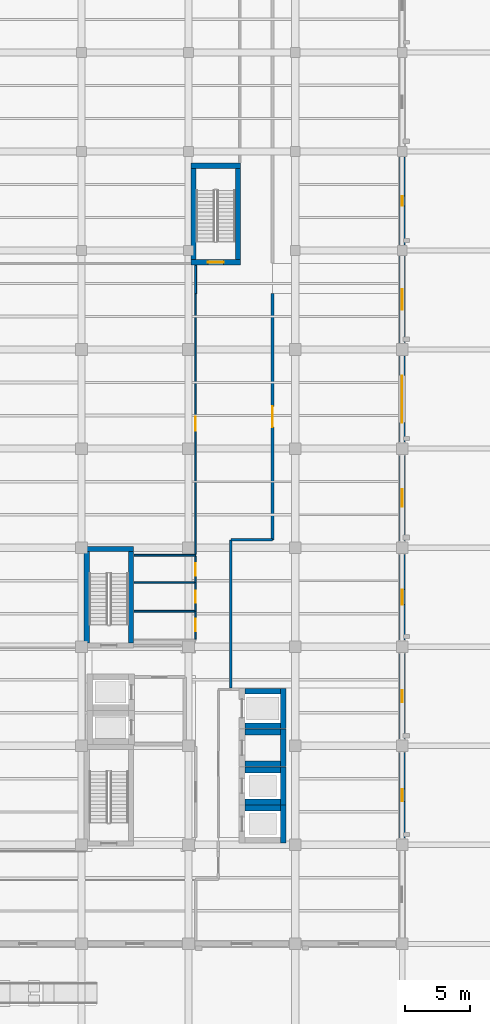
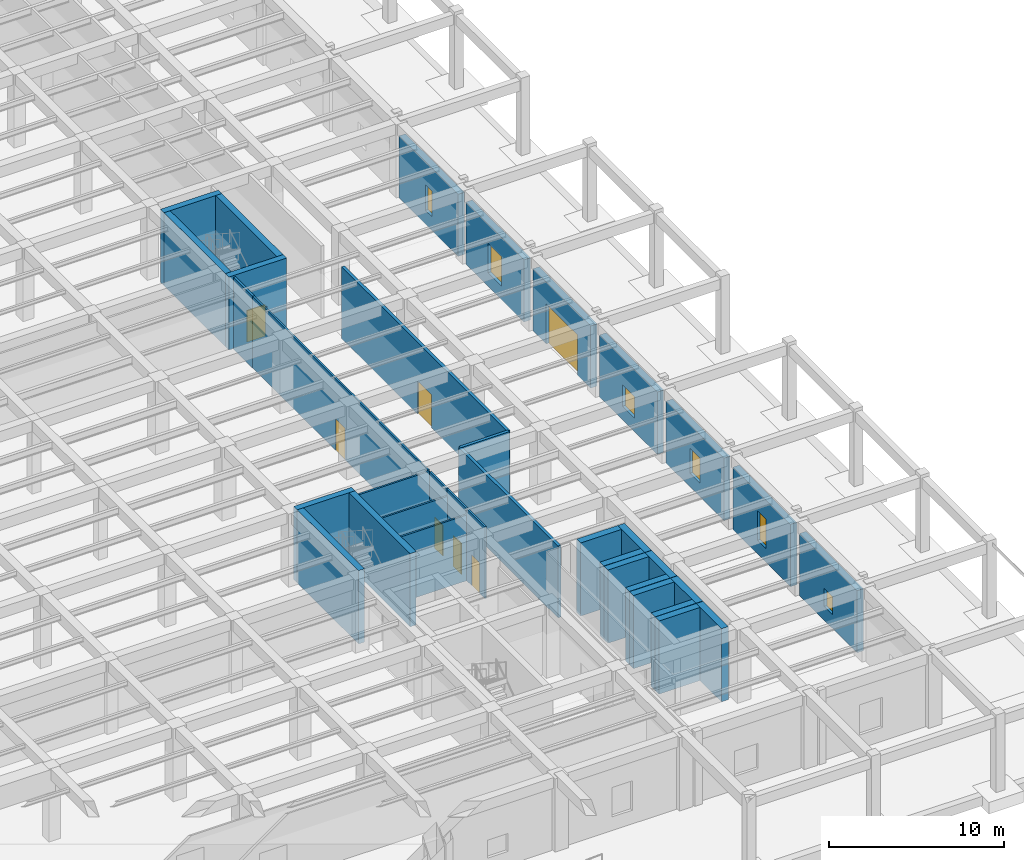
# One storey, part 48 of 64: 36 walls, 7 doors, 6 windows, 13 openings.
"""IFC4 building model written with IfcOpenShell, lengths in metres."""

from ifc_helpers import new_model, si_unit, direction, frame, frame_2d, origin, place, context, subcontext, project, spatial, rectangle, extrude, material, layer, layer_set, type_object, element, fill, save


model = new_model("IFC4")

# Units and contexts
model_context = context("Model", 3, precision=1e-05, world=origin(), true_north=direction((0.0, 1.0)))
body_context = subcontext(model_context, "Body", "Model", "MODEL_VIEW")
ifc_project = project(units=[si_unit("LENGTHUNIT", "METRE"), si_unit("AREAUNIT", "SQUARE_METRE"), si_unit("VOLUMEUNIT", "CUBIC_METRE"), si_unit("PLANEANGLEUNIT", "RADIAN"), si_unit("MASSUNIT", "GRAM", prefix="KILO")], contexts=[model_context])

# Site, building, storey
site_placement = place(None, origin())
site = spatial("IfcSite", under=ifc_project, at=site_placement, CompositionType="ELEMENT")
building_placement = place(site_placement, origin())
building = spatial("IfcBuilding", under=site, at=building_placement, Name="Qandaris Square Conservatory and Botanical Centre", CompositionType="ELEMENT")
storey_placement = place(building_placement, origin())
storey = spatial("IfcBuildingStorey", under=building, at=storey_placement, Name="L00", CompositionType="ELEMENT", Elevation=0.0)

# Wall
ifc_material_1 = material(Name="Gypsum Plasterboard", Category="gypsum")
ifc_layer_1 = layer(ifc_material_1, 0.14990234375)
ifc_layer_set_1 = layer_set([ifc_layer_1], Name="Gypsum Plasterboard")
wall_type_1 = type_object("IfcWallType", Name="Acoustic Laboratory Partition 150mm", PredefinedType="PARTITIONING", material=ifc_layer_set_1)
wall_1_placement = place(storey_placement, frame((147.949951171875, 66.5, 0.0), z_axis=(0.0, 0.0, 1.0), x_axis=(0.0, 1.0, 0.0)))
element("IfcWall", 1, at=wall_1_placement, inside=storey, type_object=wall_type_1, Name="Interior Partition IW-L00-0061", PredefinedType="PARTITIONING", context=body_context, shape_type="SweptSolid", body=[
    extrude(rectangle(XDim=2.169921875, YDim=0.14990234375, at=frame_2d((1.0849609375, 0.0))), origin(), (0.0, 0.0, 1.0), 5.0048828125),
])

# Wall, opening, door
ifc_material_2 = material(Name="Concrete C40/50", Category="concrete")
ifc_layer_2 = layer(ifc_material_2, 0.199951171875)
ifc_layer_set_2 = layer_set([ifc_layer_2], Name="Concrete C40/50")
wall_type_2 = type_object("IfcWallType", Name="Herbarium & Plant Compartment Wall 200mm", PredefinedType="PARTITIONING", material=ifc_layer_set_2)
wall_2_placement = place(storey_placement, frame((153.85009765625, 66.5, 0.0), z_axis=(0.0, 0.0, 1.0), x_axis=(0.0, -1.0, 0.0)))
wall_2 = element("IfcWall", 2, at=wall_2_placement, inside=storey, type_object=wall_type_2, Name="Interior Partition IW-L00-0056", PredefinedType="PARTITIONING", context=body_context, shape_type="SweptSolid", body=[
    extrude(rectangle(XDim=18.89990234375, YDim=0.199951171875, at=frame_2d((9.449951171875, 0.0))), origin(), (0.0, 0.0, 1.0), 5.0048828125),
])
opening_1_placement = place(wall_2_placement, frame((8.64990234375, 0.0, 0.0)))
opening_1 = element("IfcOpeningElement", 3, at=opening_1_placement, cuts=wall_2, Name="Opening D-HRB1", PredefinedType="OPENING", context=body_context, shape_type="SweptSolid", body=[
    extrude(rectangle(XDim=1.60009765625, YDim=2.300048828125, at=frame_2d((0.800048828125, 1.14990234375))), frame((0.0, 0.11181640625, 0.0), z_axis=(0.0, -1.0, 0.0), x_axis=(1.0, 0.0, 0.0)), (0.0, 0.0, 1.0), 0.223876953125),
])
ifc_material_3 = material(Name="Steel S355", Category="steel")
door_type_1 = type_object("IfcDoorType", Name="Herbarium Sealable Specimen Double Door 1600x2300", OperationType="DOUBLE_DOOR_SINGLE_SWING", PredefinedType="DOOR", material=ifc_material_3)
door_1_placement = place(opening_1_placement, frame((1.60009765625, 0.0, 0.0), z_axis=(0.0, 0.0, 1.0), x_axis=(-1.0, 0.0, 0.0)))
door_1 = element("IfcDoor", 4, at=door_1_placement, inside=storey, type_object=door_type_1, Name="DR-0049 Public Reference Herbarium Reading Room Door", OperationType="DOUBLE_DOOR_SINGLE_SWING", OverallHeight=2.300048828125, OverallWidth=1.60009765625, PredefinedType="DOOR", context=body_context, shape_type="SweptSolid", body=[
    extrude(rectangle(XDim=1.60009765625, YDim=2.300048828125, at=frame_2d((0.800048828125, 1.14990234375))), frame((0.0, 0.02490234375, 0.0), z_axis=(0.0, -1.0, 0.0), x_axis=(1.0, 0.0, 0.0)), (0.0, 0.0, 1.0), 0.050048828125),
])
fill(opening_1, door_1)

# Walls
wall_3_placement = place(storey_placement, frame((153.85009765625, 47.60009765625, 0.0), z_axis=(0.0, 0.0, 1.0), x_axis=(-1.0, 0.0, 0.0)))
element("IfcWall", 5, at=wall_3_placement, inside=storey, type_object=wall_type_2, Name="Interior Partition IW-L00-0057", PredefinedType="PARTITIONING", context=body_context, shape_type="SweptSolid", body=[
    extrude(rectangle(XDim=3.2001953125, YDim=0.199951171875, at=frame_2d((1.60009765625, 0.0))), origin(), (0.0, 0.0, 1.0), 5.0048828125),
])
wall_4_placement = place(storey_placement, frame((150.64990234375, 47.60009765625, 0.0), z_axis=(0.0, 0.0, 1.0), x_axis=(0.0, -1.0, 0.0)))
element("IfcWall", 6, at=wall_4_placement, inside=storey, type_object=wall_type_2, Name="Interior Partition IW-L00-0058", PredefinedType="PARTITIONING", context=body_context, shape_type="SweptSolid", body=[
    extrude(rectangle(XDim=11.35009765625, YDim=0.199951171875, at=frame_2d((5.675048828125, 0.0))), origin(), (0.0, 0.0, 1.0), 5.0048828125),
])

# Wall, opening, window
ifc_layer_3 = layer(ifc_material_2, 0.419921875)
ifc_layer_set_3 = layer_set([ifc_layer_3], Name="Concrete C40/50")
wall_type_3 = type_object("IfcWallType", Name="Insulated Qatari Limestone Cavity Wall 420mm", PredefinedType="SOLIDWALL", material=ifc_layer_set_3)
wall_5_placement = place(storey_placement, frame((163.800048828125, 24.7099609375, 0.0), z_axis=(0.0, 0.0, 1.0), x_axis=(0.0, 1.0, 0.0)))
wall_5 = element("IfcWall", 7, at=wall_5_placement, inside=storey, type_object=wall_type_3, Name="Exterior Wall EW-TWR-L00-2-2", PredefinedType="SOLIDWALL", context=body_context, shape_type="SweptSolid", body=[
    extrude(rectangle(XDim=6.580078125, YDim=0.419921875, at=frame_2d((3.2900390625, 0.0))), origin(), (0.0, 0.0, 1.0), 4.3349609375),
])
opening_2_placement = place(wall_5_placement, frame((2.81494140625, 0.0, 0.949951171875)))
opening_2 = element("IfcOpeningElement", 8, at=opening_2_placement, cuts=wall_5, Name="Opening WN-13", PredefinedType="OPENING", context=body_context, shape_type="SweptSolid", body=[
    extrude(rectangle(XDim=0.949951171875, YDim=1.25, at=frame_2d((0.47509765625, 0.625))), frame((0.0, 0.221923828125, 0.0), z_axis=(0.0, -1.0, 0.0), x_axis=(1.0, 0.0, 0.0)), (0.0, 0.0, 1.0), 0.44384765625),
])
ifc_material_4 = material(Name="Tempered Low-E Glass", Category="glass")
window_type_1 = type_object("IfcWindowType", Name="Solar Control Window 950x1250", PartitioningType="SINGLE_PANEL", PredefinedType="WINDOW", material=ifc_material_4)
window_1_placement = place(opening_2_placement, origin())
window_1 = element("IfcWindow", 9, at=window_1_placement, inside=storey, type_object=window_type_1, Name="Window EW-TWR-L00-2-2", OverallHeight=1.25, OverallWidth=0.949951171875, PartitioningType="SINGLE_PANEL", PredefinedType="WINDOW", context=body_context, shape_type="SweptSolid", body=[
    extrude(rectangle(XDim=0.949951171875, YDim=1.25, at=frame_2d((0.47509765625, 0.625))), frame((0.0, 0.030029296875, 0.0), z_axis=(0.0, -1.0, 0.0), x_axis=(1.0, 0.0, 0.0)), (0.0, 0.0, 1.0), 0.06005859375),
])
fill(opening_2, window_1)

wall_6_placement = place(storey_placement, frame((163.800048828125, 32.31005859375, 0.0), z_axis=(0.0, 0.0, 1.0), x_axis=(0.0, 1.0, 0.0)))
wall_6 = element("IfcWall", 10, at=wall_6_placement, inside=storey, type_object=wall_type_3, Name="Exterior Wall EW-TWR-L00-2-3", PredefinedType="SOLIDWALL", context=body_context, shape_type="SweptSolid", body=[
    extrude(rectangle(XDim=6.579833984375, YDim=0.419921875, at=frame_2d((3.2900390625, 0.0))), origin(), (0.0, 0.0, 1.0), 4.3349609375),
])
opening_3_placement = place(wall_6_placement, frame((2.81494140625, 0.0, 0.949951171875)))
opening_3 = element("IfcOpeningElement", 11, at=opening_3_placement, cuts=wall_6, Name="Opening WN-16", PredefinedType="OPENING", context=body_context, shape_type="SweptSolid", body=[
    extrude(rectangle(XDim=0.949951171875, YDim=2.050048828125, at=frame_2d((0.47509765625, 1.02490234375))), frame((0.0, 0.221923828125, 0.0), z_axis=(0.0, -1.0, 0.0), x_axis=(1.0, 0.0, 0.0)), (0.0, 0.0, 1.0), 0.44384765625),
])
window_type_2 = type_object("IfcWindowType", Name="Solar Control Window 950x2050", PartitioningType="SINGLE_PANEL", PredefinedType="WINDOW", material=ifc_material_4)
window_2_placement = place(opening_3_placement, origin())
window_2 = element("IfcWindow", 12, at=window_2_placement, inside=storey, type_object=window_type_2, Name="Window EW-TWR-L00-2-3", OverallHeight=2.050048828125, OverallWidth=0.949951171875, PartitioningType="SINGLE_PANEL", PredefinedType="WINDOW", context=body_context, shape_type="SweptSolid", body=[
    extrude(rectangle(XDim=0.949951171875, YDim=2.050048828125, at=frame_2d((0.47509765625, 1.02490234375))), frame((0.0, 0.030029296875, 0.0), z_axis=(0.0, -1.0, 0.0), x_axis=(1.0, 0.0, 0.0)), (0.0, 0.0, 1.0), 0.06005859375),
])
fill(opening_3, window_2)

wall_7_placement = place(storey_placement, frame((163.800048828125, 39.909912109375, 0.0), z_axis=(0.0, 0.0, 1.0), x_axis=(0.0, 1.0, 0.0)))
wall_7 = element("IfcWall", 13, at=wall_7_placement, inside=storey, type_object=wall_type_3, Name="Exterior Wall EW-TWR-L00-2-4", PredefinedType="SOLIDWALL", context=body_context, shape_type="SweptSolid", body=[
    extrude(rectangle(XDim=6.580078125, YDim=0.419921875, at=frame_2d((3.2900390625, 0.0))), origin(), (0.0, 0.0, 1.0), 4.3349609375),
])
opening_4_placement = place(wall_7_placement, frame((2.715087890625, 0.0, 0.949951171875)))
opening_4 = element("IfcOpeningElement", 14, at=opening_4_placement, cuts=wall_7, Name="Opening WN-19", PredefinedType="OPENING", context=body_context, shape_type="SweptSolid", body=[
    extrude(rectangle(XDim=1.14990234375, YDim=1.75, at=frame_2d((0.574951171875, 0.875))), frame((0.0, 0.221923828125, 0.0), z_axis=(0.0, -1.0, 0.0), x_axis=(1.0, 0.0, 0.0)), (0.0, 0.0, 1.0), 0.44384765625),
])
window_type_3 = type_object("IfcWindowType", Name="Solar Control Window 1150x1750", PartitioningType="SINGLE_PANEL", PredefinedType="WINDOW", material=ifc_material_4)
window_3_placement = place(opening_4_placement, origin())
window_3 = element("IfcWindow", 15, at=window_3_placement, inside=storey, type_object=window_type_3, Name="Window EW-TWR-L00-2-4", OverallHeight=1.75, OverallWidth=1.14990234375, PartitioningType="SINGLE_PANEL", PredefinedType="WINDOW", context=body_context, shape_type="SweptSolid", body=[
    extrude(rectangle(XDim=1.14990234375, YDim=1.75, at=frame_2d((0.574951171875, 0.875))), frame((0.0, 0.030029296875, 0.0), z_axis=(0.0, -1.0, 0.0), x_axis=(1.0, 0.0, 0.0)), (0.0, 0.0, 1.0), 0.06005859375),
])
fill(opening_4, window_3)

wall_8_placement = place(storey_placement, frame((163.800048828125, 47.510009765625, 0.0), z_axis=(0.0, 0.0, 1.0), x_axis=(0.0, 1.0, 0.0)))
wall_8 = element("IfcWall", 16, at=wall_8_placement, inside=storey, type_object=wall_type_3, Name="Exterior Wall EW-TWR-L00-2-5", PredefinedType="SOLIDWALL", context=body_context, shape_type="SweptSolid", body=[
    extrude(rectangle(XDim=6.580078125, YDim=0.419921875, at=frame_2d((3.2900390625, 0.0))), origin(), (0.0, 0.0, 1.0), 4.3349609375),
])
opening_5_placement = place(wall_8_placement, frame((2.614990234375, 0.0, 0.949951171875)))
opening_5 = element("IfcOpeningElement", 17, at=opening_5_placement, cuts=wall_8, Name="Opening WN-22", PredefinedType="OPENING", context=body_context, shape_type="SweptSolid", body=[
    extrude(rectangle(XDim=1.35009765625, YDim=1.5, at=frame_2d((0.675048828125, 0.75))), frame((0.0, 0.221923828125, 0.0), z_axis=(0.0, -1.0, 0.0), x_axis=(1.0, 0.0, 0.0)), (0.0, 0.0, 1.0), 0.44384765625),
])
window_type_4 = type_object("IfcWindowType", Name="Solar Control Window 1350x1500", PartitioningType="SINGLE_PANEL", PredefinedType="WINDOW", material=ifc_material_4)
window_4_placement = place(opening_5_placement, origin())
window_4 = element("IfcWindow", 18, at=window_4_placement, inside=storey, type_object=window_type_4, Name="Window EW-TWR-L00-2-5", OverallHeight=1.5, OverallWidth=1.35009765625, PartitioningType="SINGLE_PANEL", PredefinedType="WINDOW", context=body_context, shape_type="SweptSolid", body=[
    extrude(rectangle(XDim=1.35009765625, YDim=1.5, at=frame_2d((0.675048828125, 0.75))), frame((0.0, 0.030029296875, 0.0), z_axis=(0.0, -1.0, 0.0), x_axis=(1.0, 0.0, 0.0)), (0.0, 0.0, 1.0), 0.06005859375),
])
fill(opening_5, window_4)

# Wall, opening, door
wall_9_placement = place(storey_placement, frame((163.800048828125, 55.110107421875, 0.0), z_axis=(0.0, 0.0, 1.0), x_axis=(0.0, 1.0, 0.0)))
wall_9 = element("IfcWall", 19, at=wall_9_placement, inside=storey, type_object=wall_type_3, Name="Exterior Wall EW-TWR-L00-2-6", PredefinedType="SOLIDWALL", context=body_context, shape_type="SweptSolid", body=[
    extrude(rectangle(XDim=6.579833984375, YDim=0.419921875, at=frame_2d((3.2900390625, 0.0))), origin(), (0.0, 0.0, 1.0), 4.3349609375),
])
opening_6_placement = place(wall_9_placement, frame((1.489990234375, 0.0, 0.0)))
opening_6 = element("IfcOpeningElement", 20, at=opening_6_placement, cuts=wall_9, Name="Opening ED-GT1", PredefinedType="OPENING", context=body_context, shape_type="SweptSolid", body=[
    extrude(rectangle(XDim=3.60009765625, YDim=2.800048828125, at=frame_2d((1.800048828125, 1.39990234375))), frame((0.0, 0.221923828125, 0.0), z_axis=(0.0, -1.0, 0.0), x_axis=(1.0, 0.0, 0.0)), (0.0, 0.0, 1.0), 0.44384765625),
])
ifc_material_5 = material(Name="Anodised Aluminium", Category="aluminium")
door_type_2 = type_object("IfcDoorType", Name="Service Yard Vehicular Security Gate 3600x2800", OperationType="DOUBLE_DOOR_SINGLE_SWING", PredefinedType="GATE", material=ifc_material_5)
door_2_placement = place(opening_6_placement, frame((3.60009765625, 0.0, 0.0), z_axis=(0.0, 0.0, 1.0), x_axis=(-1.0, 0.0, 0.0)))
door_2 = element("IfcDoor", 21, at=door_2_placement, inside=storey, type_object=door_type_2, Name="DR-0068 Exterior Exit Door GATE-01", OperationType="DOUBLE_DOOR_SINGLE_SWING", OverallHeight=2.800048828125, OverallWidth=3.60009765625, PredefinedType="GATE", context=body_context, shape_type="SweptSolid", body=[
    extrude(rectangle(XDim=3.60009765625, YDim=2.800048828125, at=frame_2d((1.800048828125, 1.39990234375))), frame((0.0, 0.02490234375, 0.0), z_axis=(0.0, -1.0, 0.0), x_axis=(1.0, 0.0, 0.0)), (0.0, 0.0, 1.0), 0.050048828125),
])
fill(opening_6, door_2)

# Wall, opening, window
wall_10_placement = place(storey_placement, frame((163.800048828125, 62.7099609375, 0.0), z_axis=(0.0, 0.0, 1.0), x_axis=(0.0, 1.0, 0.0)))
wall_10 = element("IfcWall", 22, at=wall_10_placement, inside=storey, type_object=wall_type_3, Name="Exterior Wall EW-TWR-L00-2-7", PredefinedType="SOLIDWALL", context=body_context, shape_type="SweptSolid", body=[
    extrude(rectangle(XDim=6.655029296875, YDim=0.419921875, at=frame_2d((3.32763671875, 0.0))), origin(), (0.0, 0.0, 1.0), 4.3349609375),
])
opening_7_placement = place(wall_10_placement, frame((2.552490234375, 0.0, 0.949951171875)))
opening_7 = element("IfcOpeningElement", 23, at=opening_7_placement, cuts=wall_10, Name="Opening WN-28", PredefinedType="OPENING", context=body_context, shape_type="SweptSolid", body=[
    extrude(rectangle(XDim=1.550048828125, YDim=2.050048828125, at=frame_2d((0.77490234375, 1.02490234375))), frame((0.0, 0.221923828125, 0.0), z_axis=(0.0, -1.0, 0.0), x_axis=(1.0, 0.0, 0.0)), (0.0, 0.0, 1.0), 0.44384765625),
])
window_type_5 = type_object("IfcWindowType", Name="Solar Control Window 1550x2050", PartitioningType="DOUBLE_PANEL_VERTICAL", PredefinedType="WINDOW", material=ifc_material_4)
window_5_placement = place(opening_7_placement, origin())
window_5 = element("IfcWindow", 24, at=window_5_placement, inside=storey, type_object=window_type_5, Name="Window EW-TWR-L00-2-7", OverallHeight=2.050048828125, OverallWidth=1.550048828125, PartitioningType="DOUBLE_PANEL_VERTICAL", PredefinedType="WINDOW", context=body_context, shape_type="SweptSolid", body=[
    extrude(rectangle(XDim=1.550048828125, YDim=2.050048828125, at=frame_2d((0.77490234375, 1.02490234375))), frame((0.0, 0.030029296875, 0.0), z_axis=(0.0, -1.0, 0.0), x_axis=(1.0, 0.0, 0.0)), (0.0, 0.0, 1.0), 0.06005859375),
])
fill(opening_7, window_5)

wall_11_placement = place(storey_placement, frame((163.800048828125, 70.235107421875, 0.0), z_axis=(0.0, 0.0, 1.0), x_axis=(0.0, 1.0, 0.0)))
wall_11 = element("IfcWall", 25, at=wall_11_placement, inside=storey, type_object=wall_type_3, Name="Exterior Wall EW-TWR-L00-2-8", PredefinedType="SOLIDWALL", context=body_context, shape_type="SweptSolid", body=[
    extrude(rectangle(XDim=6.72998046875, YDim=0.419921875, at=frame_2d((3.364990234375, 0.0))), origin(), (0.0, 0.0, 1.0), 4.3349609375),
])
opening_8_placement = place(wall_11_placement, frame((2.989990234375, 0.0, 0.949951171875)))
opening_8 = element("IfcOpeningElement", 26, at=opening_8_placement, cuts=wall_11, Name="Opening WN-03", PredefinedType="OPENING", context=body_context, shape_type="SweptSolid", body=[
    extrude(rectangle(XDim=0.75, YDim=1.800048828125, at=frame_2d((0.375, 0.89990234375))), frame((0.0, 0.221923828125, 0.0), z_axis=(0.0, -1.0, 0.0), x_axis=(1.0, 0.0, 0.0)), (0.0, 0.0, 1.0), 0.44384765625),
])
window_type_6 = type_object("IfcWindowType", Name="Herbarium UV-Filtered Slot Window 750x1800", PartitioningType="SINGLE_PANEL", PredefinedType="WINDOW", material=ifc_material_4)
window_6_placement = place(opening_8_placement, origin())
window_6 = element("IfcWindow", 27, at=window_6_placement, inside=storey, type_object=window_type_6, Name="Window EW-TWR-L00-2-8", OverallHeight=1.800048828125, OverallWidth=0.75, PartitioningType="SINGLE_PANEL", PredefinedType="WINDOW", context=body_context, shape_type="SweptSolid", body=[
    extrude(rectangle(XDim=0.75, YDim=1.800048828125, at=frame_2d((0.375, 0.89990234375))), frame((0.0, 0.030029296875, 0.0), z_axis=(0.0, -1.0, 0.0), x_axis=(1.0, 0.0, 0.0)), (0.0, 0.0, 1.0), 0.06005859375),
])
fill(opening_8, window_6)

# Walls
ifc_material_6 = material(Name="Concrete C50/60", Category="concrete")
ifc_layer_4 = layer(ifc_material_6, 0.449951171875)
ifc_layer_set_4 = layer_set([ifc_layer_4], Name="Concrete C50/60")
wall_type_4 = type_object("IfcWallType", Name="RC Coupled Core Shear Wall 450mm", PredefinedType="SHEAR", material=ifc_layer_set_4)
wall_12_placement = place(storey_placement, frame((151.75, 27.02490234375, 0.0), z_axis=(0.0, 0.0, 1.0), x_axis=(1.0, 0.0, 0.0)))
element("IfcWall", 28, at=wall_12_placement, inside=storey, type_object=wall_type_4, Name="Lift PL1 Shaft Wall North (L00)", PredefinedType="SHEAR", context=body_context, shape_type="SweptSolid", body=[
    extrude(rectangle(XDim=2.699951171875, YDim=0.449951171875, at=frame_2d((1.35009765625, 0.0))), origin(), (0.0, 0.0, 1.0), 5.10009765625),
])
wall_13_placement = place(storey_placement, frame((154.675048828125, 24.35009765625, 0.0), z_axis=(0.0, 0.0, 1.0), x_axis=(0.0, 1.0, 0.0)))
element("IfcWall", 29, at=wall_13_placement, inside=storey, type_object=wall_type_4, Name="Lift PL1 Shaft Wall East (L00)", PredefinedType="SHEAR", context=body_context, shape_type="SweptSolid", body=[
    extrude(rectangle(XDim=2.89990234375, YDim=0.449951171875, at=frame_2d((1.449951171875, 0.0))), origin(), (0.0, 0.0, 1.0), 5.10009765625),
])
for number, where, z_axis, x_axis, name in (
    (30, (151.75, 27.4951171875, 0.0), (0.0, 0.0, 1.0), (1.0, 0.0, 0.0), "Lift PL2 Shaft Wall South (L00)"),
    (31, (151.75, 29.945068359375, 0.0), (0.0, 0.0, 1.0), (1.0, 0.0, 0.0), "Lift PL2 Shaft Wall North (L00)"),
):
    element("IfcWall", number, at=place(storey_placement, frame(where, z_axis=z_axis, x_axis=x_axis)), inside=storey, type_object=wall_type_4, Name=name, PredefinedType="SHEAR", context=body_context, shape_type="SweptSolid", body=[
        extrude(rectangle(XDim=2.699951171875, YDim=0.449951171875, at=frame_2d((1.35009765625, 0.0))), origin(), (0.0, 0.0, 1.0), 5.10009765625),
    ])
wall_14_placement = place(storey_placement, frame((154.675048828125, 27.27001953125, 0.0), z_axis=(0.0, 0.0, 1.0), x_axis=(0.0, 1.0, 0.0)))
element("IfcWall", 32, at=wall_14_placement, inside=storey, type_object=wall_type_4, Name="Lift PL2 Shaft Wall East (L00)", PredefinedType="SHEAR", context=body_context, shape_type="SweptSolid", body=[
    extrude(rectangle(XDim=2.89990234375, YDim=0.449951171875, at=frame_2d((1.449951171875, 0.0))), origin(), (0.0, 0.0, 1.0), 5.10009765625),
])
for number, where, z_axis, x_axis, name in (
    (33, (151.75, 30.4150390625, 0.0), (0.0, 0.0, 1.0), (1.0, 0.0, 0.0), "Lift PL3 Shaft Wall South (L00)"),
    (34, (151.75, 32.864990234375, 0.0), (0.0, 0.0, 1.0), (1.0, 0.0, 0.0), "Lift PL3 Shaft Wall North (L00)"),
):
    element("IfcWall", number, at=place(storey_placement, frame(where, z_axis=z_axis, x_axis=x_axis)), inside=storey, type_object=wall_type_4, Name=name, PredefinedType="SHEAR", context=body_context, shape_type="SweptSolid", body=[
        extrude(rectangle(XDim=2.699951171875, YDim=0.449951171875, at=frame_2d((1.35009765625, 0.0))), origin(), (0.0, 0.0, 1.0), 5.10009765625),
    ])
wall_15_placement = place(storey_placement, frame((154.675048828125, 30.18994140625, 0.0), z_axis=(0.0, 0.0, 1.0), x_axis=(0.0, 1.0, 0.0)))
element("IfcWall", 35, at=wall_15_placement, inside=storey, type_object=wall_type_4, Name="Lift PL3 Shaft Wall East (L00)", PredefinedType="SHEAR", context=body_context, shape_type="SweptSolid", body=[
    extrude(rectangle(XDim=2.900146484375, YDim=0.449951171875, at=frame_2d((1.4501953125, 0.0))), origin(), (0.0, 0.0, 1.0), 5.10009765625),
])
for number, where, z_axis, x_axis, name in (
    (36, (151.75, 33.3349609375, 0.0), (0.0, 0.0, 1.0), (1.0, 0.0, 0.0), "Lift GL1 Shaft Wall South (L00)"),
    (37, (151.75, 35.985107421875, 0.0), (0.0, 0.0, 1.0), (1.0, 0.0, 0.0), "Lift GL1 Shaft Wall North (L00)"),
):
    element("IfcWall", number, at=place(storey_placement, frame(where, z_axis=z_axis, x_axis=x_axis)), inside=storey, type_object=wall_type_4, Name=name, PredefinedType="SHEAR", context=body_context, shape_type="SweptSolid", body=[
        extrude(rectangle(XDim=2.699951171875, YDim=0.449951171875, at=frame_2d((1.35009765625, 0.0))), origin(), (0.0, 0.0, 1.0), 5.10009765625),
    ])
wall_16_placement = place(storey_placement, frame((154.675048828125, 33.110107421875, 0.0), z_axis=(0.0, 0.0, 1.0), x_axis=(0.0, 1.0, 0.0)))
element("IfcWall", 38, at=wall_16_placement, inside=storey, type_object=wall_type_4, Name="Lift GL1 Shaft Wall East (L00)", PredefinedType="SHEAR", context=body_context, shape_type="SweptSolid", body=[
    extrude(rectangle(XDim=3.099853515625, YDim=0.449951171875, at=frame_2d((1.5498046875, 0.0))), origin(), (0.0, 0.0, 1.0), 5.10009765625),
])
ifc_layer_5 = layer(ifc_material_6, 0.39990234375)
ifc_layer_set_5 = layer_set([ifc_layer_5], Name="Concrete C50/60")
wall_type_5 = type_object("IfcWallType", Name="RC Stair Core Shear Wall 400mm", PredefinedType="SHEAR", material=ifc_layer_set_5)
wall_17_placement = place(storey_placement, frame((139.39990234375, 46.89990234375, 0.0), z_axis=(0.0, 0.0, 1.0), x_axis=(1.0, 0.0, 0.0)))
element("IfcWall", 39, at=wall_17_placement, inside=storey, type_object=wall_type_5, Name="ST-2 Core Shear Wall North (L00)", PredefinedType="SHEAR", context=body_context, shape_type="SweptSolid", body=[
    extrude(rectangle(XDim=3.800048828125, YDim=0.39990234375, at=frame_2d((1.89990234375, 0.0))), origin(), (0.0, 0.0, 1.0), 5.10009765625),
])
for number, where, z_axis, x_axis, name in (
    (40, (139.60009765625, 39.699951171875, 0.0), (0.0, 0.0, 1.0), (0.0, 1.0, 0.0), "ST-2 Core Shear Wall West (L00)"),
    (41, (143.0, 39.699951171875, 0.0), (0.0, 0.0, 1.0), (0.0, 1.0, 0.0), "ST-2 Core Shear Wall East (L00)"),
):
    element("IfcWall", number, at=place(storey_placement, frame(where, z_axis=z_axis, x_axis=x_axis)), inside=storey, type_object=wall_type_5, Name=name, PredefinedType="SHEAR", context=body_context, shape_type="SweptSolid", body=[
        extrude(rectangle(XDim=7.0, YDim=0.39990234375, at=frame_2d((3.5, 0.0))), origin(), (0.0, 0.0, 1.0), 5.10009765625),
    ])

# Wall, opening, door
wall_18_placement = place(storey_placement, frame((147.60009765625, 68.89990234375, 0.0), z_axis=(0.0, 0.0, 1.0), x_axis=(1.0, 0.0, 0.0)))
wall_18 = element("IfcWall", 42, at=wall_18_placement, inside=storey, type_object=wall_type_5, Name="ST-3 Core Shear Wall South (L00)", PredefinedType="SHEAR", context=body_context, shape_type="SweptSolid", body=[
    extrude(rectangle(XDim=3.7998046875, YDim=0.39990234375, at=frame_2d((1.89990234375, 0.0))), origin(), (0.0, 0.0, 1.0), 5.10009765625),
])
opening_9_placement = place(wall_18_placement, frame((1.300048828125, 0.0, 0.0)))
opening_9 = element("IfcOpeningElement", 43, at=opening_9_placement, cuts=wall_18, Name="Opening D-ST1", PredefinedType="OPENING", context=body_context, shape_type="SweptSolid", body=[
    extrude(rectangle(XDim=1.199951171875, YDim=2.199951171875, at=frame_2d((0.60009765625, 1.10009765625))), frame((0.0, 0.2119140625, 0.0), z_axis=(0.0, -1.0, 0.0), x_axis=(1.0, 0.0, 0.0)), (0.0, 0.0, 1.0), 0.423828125),
])
door_type_3 = type_object("IfcDoorType", Name="Exit Stair Core Fire Door 1200x2200", OperationType="NOTDEFINED", PredefinedType="DOOR", material=ifc_material_3)
door_3_placement = place(opening_9_placement, frame((1.199951171875, 0.0, 0.0), z_axis=(0.0, 0.0, 1.0), x_axis=(-1.0, 0.0, 0.0)))
door_3 = element("IfcDoor", 44, at=door_3_placement, inside=storey, type_object=door_type_3, Name="DR-0058 ST-3 Stair Core Door (L00)", OperationType="SINGLE_SWING_RIGHT", OverallHeight=2.199951171875, OverallWidth=1.199951171875, PredefinedType="DOOR", context=body_context, shape_type="SweptSolid", body=[
    extrude(rectangle(XDim=1.199951171875, YDim=2.199951171875, at=frame_2d((0.60009765625, 1.10009765625))), frame((0.0, 0.02490234375, 0.0), z_axis=(0.0, -1.0, 0.0), x_axis=(1.0, 0.0, 0.0)), (0.0, 0.0, 1.0), 0.050048828125),
])
fill(opening_9, door_3)

# Walls
wall_19_placement = place(storey_placement, frame((147.60009765625, 76.300048828125, 0.0), z_axis=(0.0, 0.0, 1.0), x_axis=(1.0, 0.0, 0.0)))
element("IfcWall", 45, at=wall_19_placement, inside=storey, type_object=wall_type_5, Name="ST-3 Core Shear Wall North (L00)", PredefinedType="SHEAR", context=body_context, shape_type="SweptSolid", body=[
    extrude(rectangle(XDim=3.7998046875, YDim=0.39990234375, at=frame_2d((1.89990234375, 0.0))), origin(), (0.0, 0.0, 1.0), 5.10009765625),
])
for number, where, z_axis, x_axis, name in (
    (46, (147.800048828125, 69.10009765625, 0.0), (0.0, 0.0, 1.0), (0.0, 1.0, 0.0), "ST-3 Core Shear Wall West (L00)"),
    (47, (151.199951171875, 69.10009765625, 0.0), (0.0, 0.0, 1.0), (0.0, 1.0, 0.0), "ST-3 Core Shear Wall East (L00)"),
):
    element("IfcWall", number, at=place(storey_placement, frame(where, z_axis=z_axis, x_axis=x_axis)), inside=storey, type_object=wall_type_5, Name=name, PredefinedType="SHEAR", context=body_context, shape_type="SweptSolid", body=[
        extrude(rectangle(XDim=7.0, YDim=0.39990234375, at=frame_2d((3.5, 0.0))), origin(), (0.0, 0.0, 1.0), 5.10009765625),
    ])
ifc_layer_6 = layer(ifc_material_1, 0.1201171875)
ifc_layer_set_6 = layer_set([ifc_layer_6], Name="Gypsum Plasterboard")
wall_type_6 = type_object("IfcWallType", Name="Standard Research Partition 120mm", PredefinedType="PARTITIONING", material=ifc_layer_set_6)
wall_20_placement = place(storey_placement, frame((143.22998046875, 46.419921875, 0.0), z_axis=(0.0, 0.0, 1.0), x_axis=(1.0, 0.0, 0.0)))
element("IfcWall", 48, at=wall_20_placement, inside=storey, type_object=wall_type_6, Name="Sanitary Toilet Partition Wall WCW-L00-NORTH1", PredefinedType="PARTITIONING", context=body_context, shape_type="SweptSolid", body=[
    extrude(rectangle(XDim=4.719970703125, YDim=0.1201171875, at=frame_2d((2.35986328125, 0.0))), origin(), (0.0, 0.0, 1.0), 5.0048828125),
])
wall_21_placement = place(storey_placement, frame((143.22998046875, 42.1201171875, 0.0), z_axis=(0.0, 0.0, 1.0), x_axis=(1.0, 0.0, 0.0)))
element("IfcWall", 49, at=wall_21_placement, inside=storey, type_object=wall_type_6, Name="Interior Partition IW-L00-0046", PredefinedType="PARTITIONING", context=body_context, shape_type="SweptSolid", body=[
    extrude(rectangle(XDim=4.719970703125, YDim=0.1201171875, at=frame_2d((2.35986328125, 0.0))), origin(), (0.0, 0.0, 1.0), 4.574951171875),
])

# Wall, opening, door
wall_22_placement = place(storey_placement, frame((147.949951171875, 42.1201171875, 0.0), z_axis=(0.0, 0.0, 1.0), x_axis=(0.0, -1.0, 0.0)))
wall_22 = element("IfcWall", 50, at=wall_22_placement, inside=storey, type_object=wall_type_6, Name="Interior Partition IW-L00-0047", PredefinedType="PARTITIONING", context=body_context, shape_type="SweptSolid", body=[
    extrude(rectangle(XDim=2.130126953125, YDim=0.1201171875, at=frame_2d((1.06494140625, 0.0))), origin(), (0.0, 0.0, 1.0), 5.0048828125),
])
opening_10_placement = place(wall_22_placement, frame((0.590087890625, 0.0, 0.0)))
opening_10 = element("IfcOpeningElement", 51, at=opening_10_placement, cuts=wall_22, Name="Opening D-WC1", PredefinedType="OPENING", context=body_context, shape_type="SweptSolid", body=[
    extrude(rectangle(XDim=0.949951171875, YDim=2.14990234375, at=frame_2d((0.47509765625, 1.074951171875))), frame((0.0, 0.072021484375, 0.0), z_axis=(0.0, -1.0, 0.0), x_axis=(1.0, 0.0, 0.0)), (0.0, 0.0, 1.0), 0.14404296875),
])
ifc_material_7 = material(Name="Engineered Oak Timber", Category="wood")
door_type_4 = type_object("IfcDoorType", Name="Accessible Sanitary Room Door 950x2150", OperationType="NOTDEFINED", PredefinedType="DOOR", material=ifc_material_7)
door_4_placement = place(opening_10_placement, origin())
door_4 = element("IfcDoor", 52, at=door_4_placement, inside=storey, type_object=door_type_4, Name="DR-0062 Accessible Toilet L00 Door", OperationType="SINGLE_SWING_LEFT", OverallHeight=2.14990234375, OverallWidth=0.949951171875, PredefinedType="DOOR", context=body_context, shape_type="SweptSolid", body=[
    extrude(rectangle(XDim=0.949951171875, YDim=2.14990234375, at=frame_2d((0.47509765625, 1.074951171875))), frame((0.0, 0.02490234375, 0.0), z_axis=(0.0, -1.0, 0.0), x_axis=(1.0, 0.0, 0.0)), (0.0, 0.0, 1.0), 0.050048828125),
])
fill(opening_10, door_4)

# Wall
wall_23_placement = place(storey_placement, frame((143.22998046875, 44.340087890625, 0.0), z_axis=(0.0, 0.0, 1.0), x_axis=(1.0, 0.0, 0.0)))
element("IfcWall", 53, at=wall_23_placement, inside=storey, type_object=wall_type_6, Name="Interior Partition IW-L00-0048", PredefinedType="PARTITIONING", context=body_context, shape_type="SweptSolid", body=[
    extrude(rectangle(XDim=4.719970703125, YDim=0.1201171875, at=frame_2d((2.35986328125, 0.0))), origin(), (0.0, 0.0, 1.0), 4.52490234375),
])

# Wall, opening, door
wall_24_placement = place(storey_placement, frame((147.949951171875, 44.340087890625, 0.0), z_axis=(0.0, 0.0, 1.0), x_axis=(0.0, -1.0, 0.0)))
wall_24 = element("IfcWall", 54, at=wall_24_placement, inside=storey, type_object=wall_type_6, Name="Interior Partition IW-L00-0049", PredefinedType="PARTITIONING", context=body_context, shape_type="SweptSolid", body=[
    extrude(rectangle(XDim=2.219970703125, YDim=0.1201171875, at=frame_2d((1.10986328125, 0.0))), origin(), (0.0, 0.0, 1.0), 5.0048828125),
])
opening_11_placement = place(wall_24_placement, frame((0.635009765625, 0.0, 0.0)))
opening_11 = element("IfcOpeningElement", 55, at=opening_11_placement, cuts=wall_24, Name="Opening D-WC1", PredefinedType="OPENING", context=body_context, shape_type="SweptSolid", body=[
    extrude(rectangle(XDim=0.949951171875, YDim=2.14990234375, at=frame_2d((0.47509765625, 1.074951171875))), frame((0.0, 0.072021484375, 0.0), z_axis=(0.0, -1.0, 0.0), x_axis=(1.0, 0.0, 0.0)), (0.0, 0.0, 1.0), 0.14404296875),
])
door_5_placement = place(opening_11_placement, origin())
door_5 = element("IfcDoor", 56, at=door_5_placement, inside=storey, type_object=door_type_4, Name="DR-0063 Staff Male Toilet L00 Door", OperationType="SINGLE_SWING_RIGHT", OverallHeight=2.14990234375, OverallWidth=0.949951171875, PredefinedType="DOOR", context=body_context, shape_type="SweptSolid", body=[
    extrude(rectangle(XDim=0.949951171875, YDim=2.14990234375, at=frame_2d((0.47509765625, 1.074951171875))), frame((0.0, 0.02490234375, 0.0), z_axis=(0.0, -1.0, 0.0), x_axis=(1.0, 0.0, 0.0)), (0.0, 0.0, 1.0), 0.050048828125),
])
fill(opening_11, door_5)

wall_25_placement = place(storey_placement, frame((147.949951171875, 46.330078125, 0.0), z_axis=(0.0, 0.0, 1.0), x_axis=(0.0, -1.0, 0.0)))
wall_25 = element("IfcWall", 57, at=wall_25_placement, inside=storey, type_object=wall_type_6, Name="Interior Partition IW-L00-0050", PredefinedType="PARTITIONING", context=body_context, shape_type="SweptSolid", body=[
    extrude(rectangle(XDim=1.989990234375, YDim=0.1201171875, at=frame_2d((0.9951171875, 0.0))), origin(), (0.0, 0.0, 1.0), 5.0048828125),
])
opening_12_placement = place(wall_25_placement, frame((0.52001953125, 0.0, 0.0)))
opening_12 = element("IfcOpeningElement", 58, at=opening_12_placement, cuts=wall_25, Name="Opening D-WC1", PredefinedType="OPENING", context=body_context, shape_type="SweptSolid", body=[
    extrude(rectangle(XDim=0.949951171875, YDim=2.14990234375, at=frame_2d((0.47509765625, 1.074951171875))), frame((0.0, 0.072021484375, 0.0), z_axis=(0.0, -1.0, 0.0), x_axis=(1.0, 0.0, 0.0)), (0.0, 0.0, 1.0), 0.14404296875),
])
door_6_placement = place(opening_12_placement, frame((0.949951171875, 0.0, 0.0), z_axis=(0.0, 0.0, 1.0), x_axis=(-1.0, 0.0, 0.0)))
door_6 = element("IfcDoor", 59, at=door_6_placement, inside=storey, type_object=door_type_4, Name="DR-0064 Staff Female Toilet L00 Door", OperationType="SINGLE_SWING_LEFT", OverallHeight=2.14990234375, OverallWidth=0.949951171875, PredefinedType="DOOR", context=body_context, shape_type="SweptSolid", body=[
    extrude(rectangle(XDim=0.949951171875, YDim=2.14990234375, at=frame_2d((0.47509765625, 1.074951171875))), frame((0.0, 0.02490234375, 0.0), z_axis=(0.0, -1.0, 0.0), x_axis=(1.0, 0.0, 0.0)), (0.0, 0.0, 1.0), 0.050048828125),
])
fill(opening_12, door_6)

wall_26_placement = place(storey_placement, frame((147.949951171875, 46.510009765625, 0.0), z_axis=(0.0, 0.0, 1.0), x_axis=(0.0, 1.0, 0.0)))
wall_26 = element("IfcWall", 60, at=wall_26_placement, inside=storey, type_object=wall_type_6, Name="Interior Partition IW-L00-0060", PredefinedType="PARTITIONING", context=body_context, shape_type="SweptSolid", body=[
    extrude(rectangle(XDim=19.989990234375, YDim=0.1201171875, at=frame_2d((9.9951171875, 0.0))), origin(), (0.0, 0.0, 1.0), 5.0048828125),
])
opening_13_placement = place(wall_26_placement, frame((9.469970703125, 0.0, 0.0)))
opening_13 = element("IfcOpeningElement", 61, at=opening_13_placement, cuts=wall_26, Name="Opening D-LAB2", PredefinedType="OPENING", context=body_context, shape_type="SweptSolid", body=[
    extrude(rectangle(XDim=1.050048828125, YDim=2.199951171875, at=frame_2d((0.52490234375, 1.10009765625))), frame((0.0, 0.072021484375, 0.0), z_axis=(0.0, -1.0, 0.0), x_axis=(1.0, 0.0, 0.0)), (0.0, 0.0, 1.0), 0.14404296875),
])
door_type_5 = type_object("IfcDoorType", Name="Analytical Laboratory Single Door 1050x2200", OperationType="NOTDEFINED", PredefinedType="DOOR", material=ifc_material_7)
door_7_placement = place(opening_13_placement, origin())
door_7 = element("IfcDoor", 62, at=door_7_placement, inside=storey, type_object=door_type_5, Name="DR-0053 Plant Quarantine Receiving Laboratory Door", OperationType="SINGLE_SWING_LEFT", OverallHeight=2.199951171875, OverallWidth=1.050048828125, PredefinedType="DOOR", context=body_context, shape_type="SweptSolid", body=[
    extrude(rectangle(XDim=1.050048828125, YDim=2.199951171875, at=frame_2d((0.52490234375, 1.10009765625))), frame((0.0, 0.02490234375, 0.0), z_axis=(0.0, -1.0, 0.0), x_axis=(1.0, 0.0, 0.0)), (0.0, 0.0, 1.0), 0.050048828125),
])
fill(opening_13, door_7)

save(model, "model.ifc")
